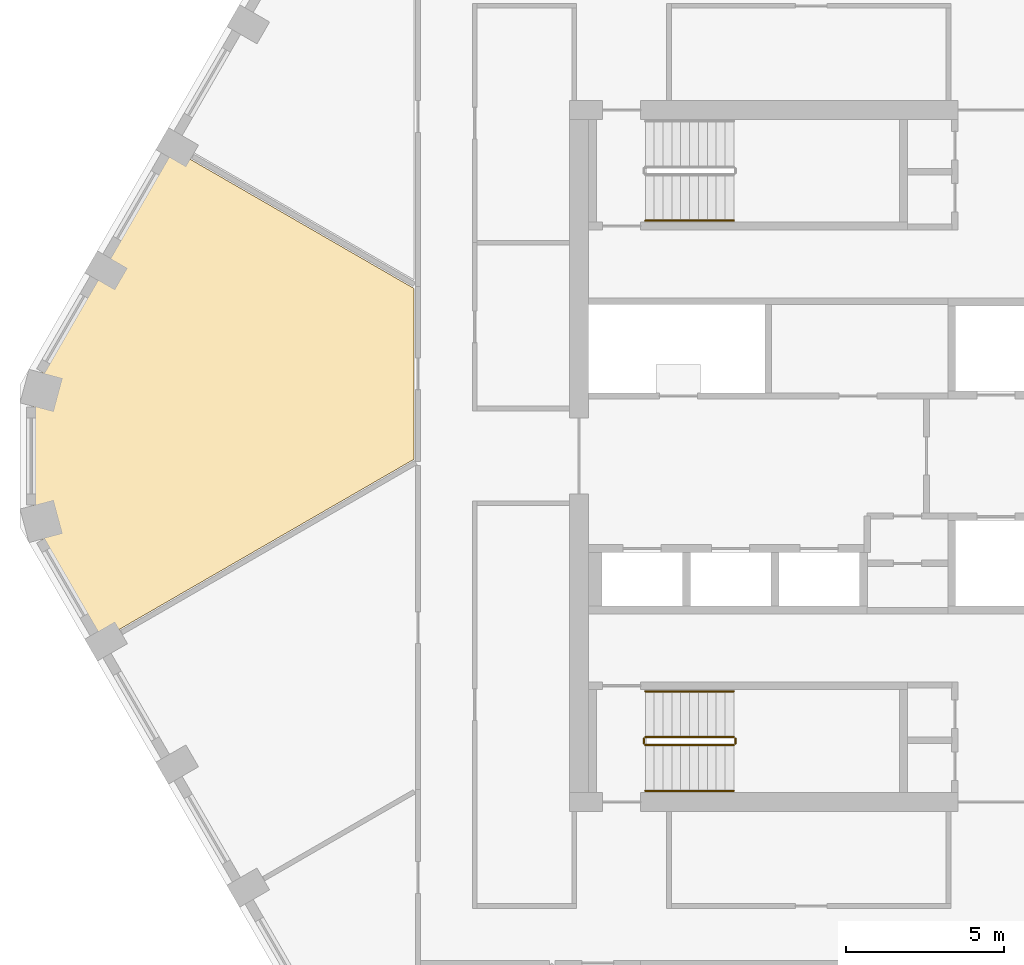
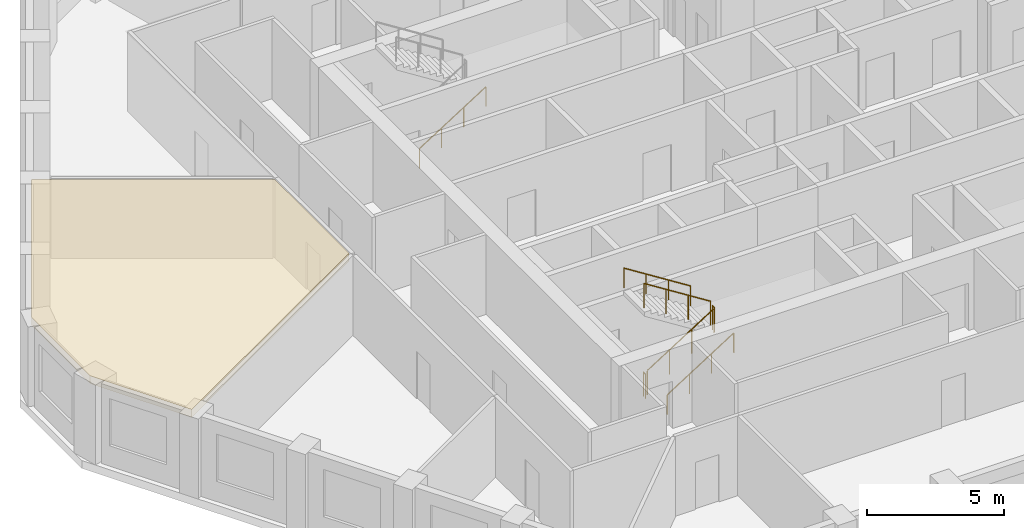
# One storey, part 9 of 13: 7 railings, 1 covering.
"""IFC4 building model written with IfcOpenShell, lengths in metres."""

from ifc_helpers import new_model, si_unit, direction, frame, origin, origin_2d, place, context, subcontext, project, spatial, polyline, circle, outline, extrude, material, layer, layer_set, type_object, element, save


model = new_model("IFC4")

# Units and contexts
model_context = context("Model", 3, precision=1e-05, world=origin(), true_north=direction((0.0, 1.0)))
body_context = subcontext(model_context, "Body", "Model", "MODEL_VIEW")
ifc_project = project(units=[si_unit("LENGTHUNIT", "METRE"), si_unit("AREAUNIT", "SQUARE_METRE"), si_unit("VOLUMEUNIT", "CUBIC_METRE"), si_unit("PLANEANGLEUNIT", "RADIAN"), si_unit("MASSUNIT", "GRAM", prefix="KILO")], contexts=[model_context])

# Site, building, storey
site_placement = place(None, origin())
site = spatial("IfcSite", under=ifc_project, at=site_placement, CompositionType="ELEMENT")
building_placement = place(site_placement, origin())
building = spatial("IfcBuilding", under=site, at=building_placement, Name="Dhurran Vertical Campus", CompositionType="ELEMENT")
storey_placement = place(building_placement, frame((0.0, 0.0, 191.699951171875)))
storey = spatial("IfcBuildingStorey", under=building, at=storey_placement, Name="L47", CompositionType="ELEMENT", Elevation=191.699951171875)

# Railings
ifc_material_1 = material(Name="Stainless steel balustrade", Category="steel")
railing_type_1 = type_object("IfcRailingType", Name="co-RL-GUARD-1100", PredefinedType="GUARDRAIL", material=ifc_material_1)
railing_1_placement = place(storey_placement, frame((-11.10009765625, -9.14990234375, 0.17724609375)))
element("IfcRailing", 1, at=railing_1_placement, inside=storey, type_object=railing_type_1, Name="L47 ST3 stair guard 1", PredefinedType="GUARDRAIL", context=body_context, shape_type="SweptSolid", body=[
    extrude(circle(Radius=0.02392578125, at=origin_2d()), frame((0.0, 0.0, 1.076171875), z_axis=(0.844908973607, 0.0, 0.534910110503), x_axis=(0.0, 1.0, 0.0)), (0.0, 0.0, 1.0), 3.31396484375),
    extrude(circle(Radius=0.02099609375, at=origin_2d()), origin(), (0.0, 0.0, 1.0), 1.052001953125),
    extrude(circle(Radius=0.02099609375, at=origin_2d()), frame((0.933349609375, 0.0, 0.5908203125)), (0.0, 0.0, 1.0), 1.052001953125),
    extrude(circle(Radius=0.02099609375, at=origin_2d()), frame((1.86669921875, 0.0, 1.181884765625)), (0.0, 0.0, 1.0), 1.052001953125),
    extrude(circle(Radius=0.02099609375, at=origin_2d()), frame((2.800048828125, 0.0, 1.772705078125)), (0.0, 0.0, 1.0), 1.052001953125),
])
railing_2_placement = place(storey_placement, frame((-8.25, -9.10009765625, 1.949951171875)))
element("IfcRailing", 2, at=railing_2_placement, inside=storey, type_object=railing_type_1, Name="L47 ST3 stair guard 2", PredefinedType="GUARDRAIL", context=body_context, shape_type="SweptSolid", body=[
    extrude(circle(Radius=0.02392578125, at=origin_2d()), frame((0.0, 0.0, 1.076171875), z_axis=(0.0, 1.0, 0.0), x_axis=(-1.0, 0.0, 0.0)), (0.0, 0.0, 1.0), 0.150146484375),
    extrude(circle(Radius=0.02099609375, at=origin_2d()), origin(), (0.0, 0.0, 1.0), 1.052001953125),
    extrude(circle(Radius=0.02099609375, at=origin_2d()), frame((0.0, 0.150146484375, 0.0)), (0.0, 0.0, 1.0), 1.052001953125),
])
railing_3_placement = place(storey_placement, frame((-8.300048828125, -8.89990234375, 2.12744140625)))
element("IfcRailing", 3, at=railing_3_placement, inside=storey, type_object=railing_type_1, Name="L47 ST3 stair guard 3", PredefinedType="GUARDRAIL", context=body_context, shape_type="SweptSolid", body=[
    extrude(circle(Radius=0.02392578125, at=origin_2d()), frame((0.0, 0.0, 1.076171875), z_axis=(-0.844908973607, 0.0, 0.534910110503), x_axis=(0.0, -1.0, 0.0)), (0.0, 0.0, 1.0), 3.31396484375),
    extrude(circle(Radius=0.02099609375, at=origin_2d()), origin(), (0.0, 0.0, 1.0), 1.052001953125),
    extrude(circle(Radius=0.02099609375, at=origin_2d()), frame((-0.933349609375, 0.0, 0.5908203125)), (0.0, 0.0, 1.0), 1.052001953125),
    extrude(circle(Radius=0.02099609375, at=origin_2d()), frame((-1.86669921875, 0.0, 1.181884765625)), (0.0, 0.0, 1.0), 1.052001953125),
    extrude(circle(Radius=0.02099609375, at=origin_2d()), frame((-2.800048828125, 0.0, 1.772705078125)), (0.0, 0.0, 1.0), 1.052001953125),
])
railing_4_placement = place(storey_placement, frame((-11.14990234375, -9.10009765625, 0.0)))
element("IfcRailing", 4, at=railing_4_placement, inside=storey, type_object=railing_type_1, Name="L47 ST3 stair guard 4", PredefinedType="GUARDRAIL", context=body_context, shape_type="SweptSolid", body=[
    extrude(circle(Radius=0.02392578125, at=origin_2d()), frame((0.0, 0.0, 1.076171875), z_axis=(0.0, 1.0, 0.0), x_axis=(-1.0, 0.0, 0.0)), (0.0, 0.0, 1.0), 0.150146484375),
    extrude(circle(Radius=0.02099609375, at=origin_2d()), origin(), (0.0, 0.0, 1.0), 1.052001953125),
    extrude(circle(Radius=0.02099609375, at=origin_2d()), frame((0.0, 0.150146484375, 0.0)), (0.0, 0.0, 1.0), 1.052001953125),
])
ifc_material_2 = material(Name="Stainless steel handrail", Category="steel")
railing_type_2 = type_object("IfcRailingType", Name="co-RL-HANDRAIL-900", PredefinedType="HANDRAIL", material=ifc_material_2)
for number, where, name in (
    (5, (-11.10009765625, 7.449951171875, 0.17724609375), "L47 ST1 stair handrail 1"),
    (6, (-11.10009765625, -10.60009765625, 0.17724609375), "L47 ST3 stair handrail 1"),
):
    element("IfcRailing", number, at=place(storey_placement, frame(where)), inside=storey, type_object=railing_type_2, Name=name, PredefinedType="HANDRAIL", context=body_context, shape_type="SweptSolid", body=[
        extrude(circle(Radius=0.02392578125, at=origin_2d()), frame((0.0, 0.0, 0.8759765625), z_axis=(0.844908973607, 0.0, 0.534910110503), x_axis=(0.0, 1.0, 0.0)), (0.0, 0.0, 1.0), 3.31396484375),
        extrude(circle(Radius=0.02099609375, at=origin_2d()), origin(), (0.0, 0.0, 1.0), 0.851806640625),
        extrude(circle(Radius=0.02099609375, at=origin_2d()), frame((0.933349609375, 0.0, 0.5908203125)), (0.0, 0.0, 1.0), 0.851806640625),
        extrude(circle(Radius=0.02099609375, at=origin_2d()), frame((1.86669921875, 0.0, 1.181884765625)), (0.0, 0.0, 1.0), 0.851806640625),
        extrude(circle(Radius=0.02099609375, at=origin_2d()), frame((2.800048828125, 0.0, 1.772705078125)), (0.0, 0.0, 1.0), 0.851806640625),
    ])
railing_5_placement = place(storey_placement, frame((-8.300048828125, -7.449951171875, 2.12744140625)))
element("IfcRailing", 7, at=railing_5_placement, inside=storey, type_object=railing_type_2, Name="L47 ST3 stair handrail 2", PredefinedType="HANDRAIL", context=body_context, shape_type="SweptSolid", body=[
    extrude(circle(Radius=0.02392578125, at=origin_2d()), frame((0.0, 0.0, 0.8759765625), z_axis=(-0.844908973607, 0.0, 0.534910110503), x_axis=(0.0, -1.0, 0.0)), (0.0, 0.0, 1.0), 3.31396484375),
    extrude(circle(Radius=0.02099609375, at=origin_2d()), origin(), (0.0, 0.0, 1.0), 0.851806640625),
    extrude(circle(Radius=0.02099609375, at=origin_2d()), frame((-0.933349609375, 0.0, 0.5908203125)), (0.0, 0.0, 1.0), 0.851806640625),
    extrude(circle(Radius=0.02099609375, at=origin_2d()), frame((-1.86669921875, 0.0, 1.181884765625)), (0.0, 0.0, 1.0), 0.851806640625),
    extrude(circle(Radius=0.02099609375, at=origin_2d()), frame((-2.800048828125, 0.0, 1.772705078125)), (0.0, 0.0, 1.0), 0.851806640625),
])

# Covering
ifc_material_3 = material(Name="Mineral fibre ceiling tiles on suspended grid")
ifc_layer = layer(ifc_material_3, 0.35009765625)
ifc_layer_set = layer_set([ifc_layer], Name="Mineral fibre ceiling tiles on suspended grid")
covering_type = type_object("IfcCoveringType", Name="fl-CE-350 suspended ceiling", PredefinedType="CEILING", material=ifc_layer_set)
covering_placement = place(storey_placement, frame((0.0, 0.0, 3.199951171875)))
element("IfcCovering", 8, at=covering_placement, inside=storey, type_object=covering_type, Name="Ceiling 47-09", PredefinedType="CEILING", context=body_context, shape_type="SweptSolid", body=[
    extrude(outline(polyline([(-28.343017578125, -5.8330078125), (-30.47705078125, -2.137939453125), (-30.47705078125, 2.137939453125), (-26.093017578125, 9.72998046875), (-18.419921875, 5.300048828125), (-18.419921875, -0.10400390625), (-28.343017578125, -5.8330078125)])), origin(), (0.0, 0.0, 1.0), 0.35009765625),
])

save(model, "model.ifc")
